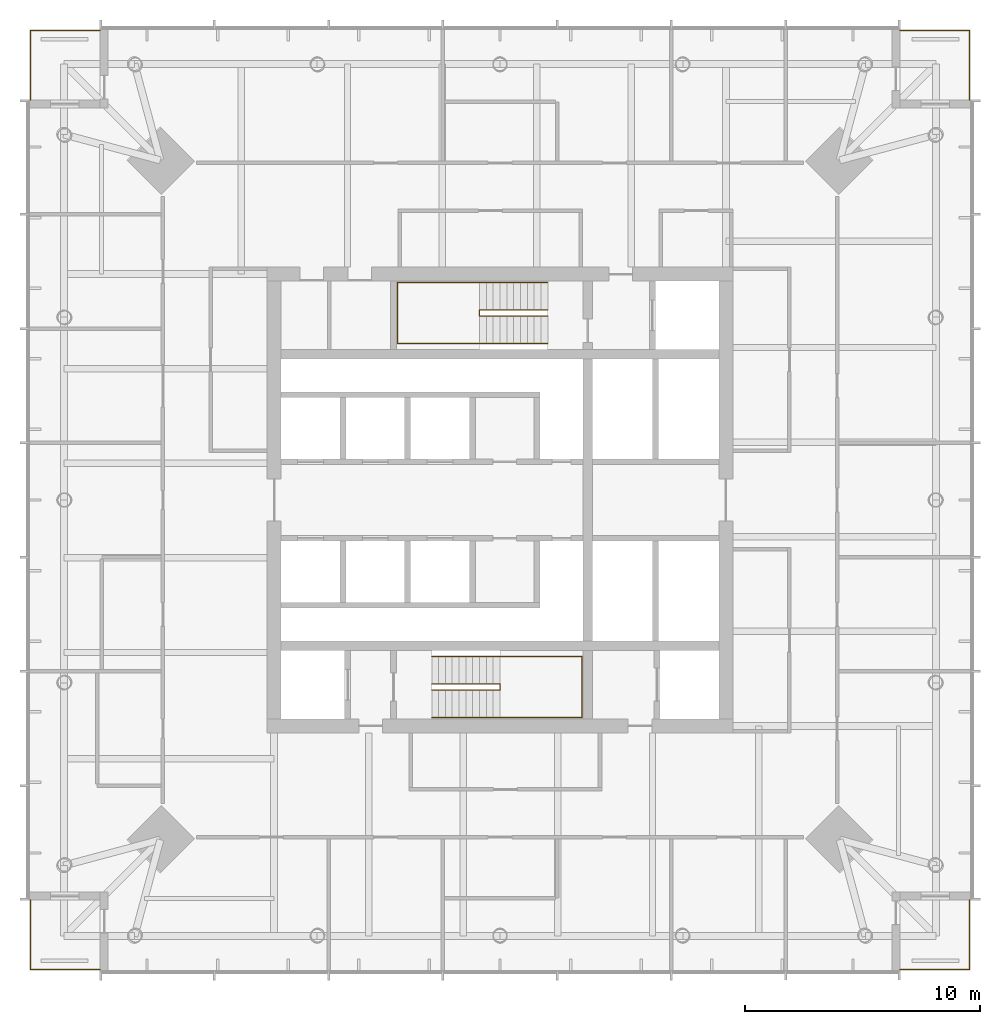
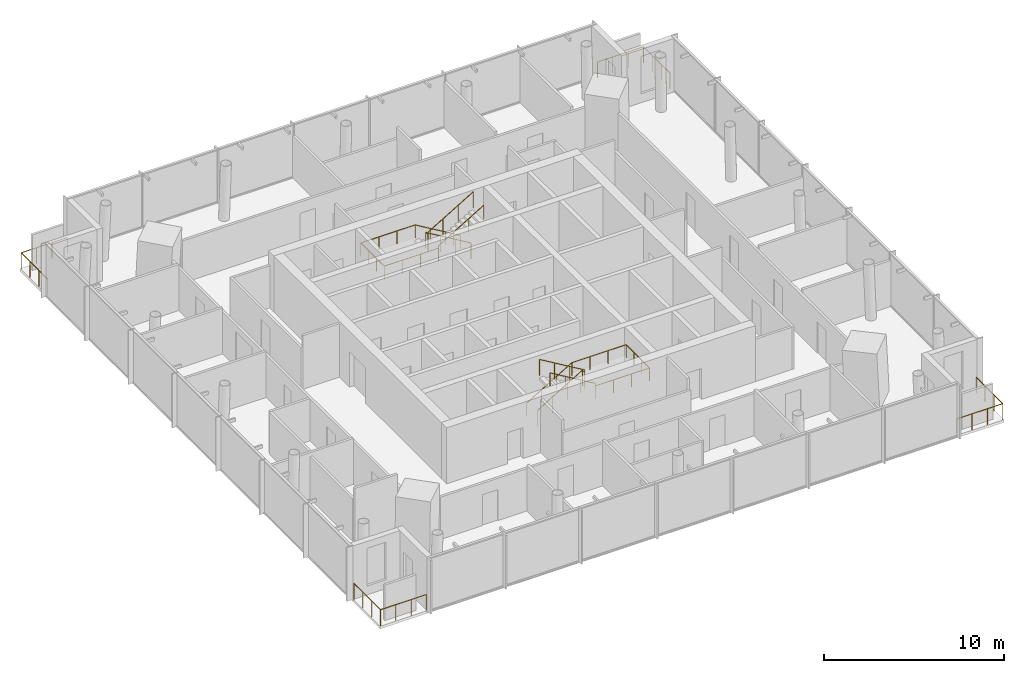
# One storey, part 9 of 9: 8 railings.
"""IFC4 building model written with IfcOpenShell, lengths in metres."""

from ifc_helpers import new_model, si_unit, direction, frame, origin, origin_2d, place, context, subcontext, project, spatial, circle, extrude, material, type_object, element, save


model = new_model("IFC4")

# Units and contexts
model_context = context("Model", 3, precision=1e-05, world=origin(), true_north=direction((0.0, 1.0)))
body_context = subcontext(model_context, "Body", "Model", "MODEL_VIEW")
ifc_project = project(units=[si_unit("LENGTHUNIT", "METRE"), si_unit("AREAUNIT", "SQUARE_METRE"), si_unit("VOLUMEUNIT", "CUBIC_METRE"), si_unit("PLANEANGLEUNIT", "RADIAN"), si_unit("MASSUNIT", "GRAM", prefix="KILO")], contexts=[model_context])

# Site, building, storey
site_placement = place(None, origin())
site = spatial("IfcSite", under=ifc_project, at=site_placement, CompositionType="ELEMENT")
building_placement = place(site_placement, origin())
building = spatial("IfcBuilding", under=site, at=building_placement, Name="Ostroluk Exchange", CompositionType="ELEMENT")
storey_placement = place(building_placement, frame((0.0, 0.0, 192.0)))
storey = spatial("IfcBuildingStorey", under=building, at=storey_placement, Name="L49", CompositionType="ELEMENT", Elevation=192.0)

# Railings
ifc_material_1 = material(Name="Stainless steel", Category="steel")
railing_type_1 = type_object("IfcRailingType", Name="Guard 1100 stainless steel", PredefinedType="GUARDRAIL", material=ifc_material_1)
railing_1_placement = place(storey_placement, frame((62.0, 26.050048828125, 0.0)))
element("IfcRailing", 1, at=railing_1_placement, inside=storey, type_object=railing_type_1, Name="Office tower SE balcony guard L49", PredefinedType="GUARDRAIL", context=body_context, shape_type="SweptSolid", body=[
    extrude(circle(Radius=0.02392578125, at=origin_2d()), frame((0.0, 0.0, 1.076171875), z_axis=(1.0, 0.0, 0.0), x_axis=(0.0, 1.0, 0.0)), (0.0, 0.0, 1.0), 2.949951171875),
    extrude(circle(Radius=0.02392578125, at=origin_2d()), frame((2.949951171875, 0.0, 1.076171875), z_axis=(0.0, 1.0, 0.0), x_axis=(-1.0, 0.0, 0.0)), (0.0, 0.0, 1.0), 2.949951171875),
    extrude(circle(Radius=0.02099609375, at=origin_2d()), origin(), (0.0, 0.0, 1.0), 1.052001953125),
    extrude(circle(Radius=0.02099609375, at=origin_2d()), frame((0.9833984375, 0.0, 0.0)), (0.0, 0.0, 1.0), 1.052001953125),
    extrude(circle(Radius=0.02099609375, at=origin_2d()), frame((1.966552734375, 0.0, 0.0)), (0.0, 0.0, 1.0), 1.052001953125),
    extrude(circle(Radius=0.02099609375, at=origin_2d()), frame((2.949951171875, 0.0, 0.0)), (0.0, 0.0, 1.0), 1.052001953125),
    extrude(circle(Radius=0.02099609375, at=origin_2d()), frame((2.949951171875, 0.9833984375, 0.0)), (0.0, 0.0, 1.0), 1.052001953125),
    extrude(circle(Radius=0.02099609375, at=origin_2d()), frame((2.949951171875, 1.966552734375, 0.0)), (0.0, 0.0, 1.0), 1.052001953125),
    extrude(circle(Radius=0.02099609375, at=origin_2d()), frame((2.949951171875, 2.949951171875, 0.0)), (0.0, 0.0, 1.0), 1.052001953125),
])
railing_2_placement = place(storey_placement, frame((62.0, 65.949951171875, 0.0)))
element("IfcRailing", 2, at=railing_2_placement, inside=storey, type_object=railing_type_1, Name="Office tower NE balcony guard L49", PredefinedType="GUARDRAIL", context=body_context, shape_type="SweptSolid", body=[
    extrude(circle(Radius=0.02392578125, at=origin_2d()), frame((0.0, 0.0, 1.076171875), z_axis=(1.0, 0.0, 0.0), x_axis=(0.0, 1.0, 0.0)), (0.0, 0.0, 1.0), 2.949951171875),
    extrude(circle(Radius=0.02392578125, at=origin_2d()), frame((2.949951171875, 0.0, 1.076171875), z_axis=(0.0, -1.0, 0.0), x_axis=(1.0, 0.0, 0.0)), (0.0, 0.0, 1.0), 2.949951171875),
    extrude(circle(Radius=0.02099609375, at=origin_2d()), origin(), (0.0, 0.0, 1.0), 1.052001953125),
    extrude(circle(Radius=0.02099609375, at=origin_2d()), frame((0.9833984375, 0.0, 0.0)), (0.0, 0.0, 1.0), 1.052001953125),
    extrude(circle(Radius=0.02099609375, at=origin_2d()), frame((1.966552734375, 0.0, 0.0)), (0.0, 0.0, 1.0), 1.052001953125),
    extrude(circle(Radius=0.02099609375, at=origin_2d()), frame((2.949951171875, 0.0, 0.0)), (0.0, 0.0, 1.0), 1.052001953125),
    extrude(circle(Radius=0.02099609375, at=origin_2d()), frame((2.949951171875, -0.9833984375, 0.0)), (0.0, 0.0, 1.0), 1.052001953125),
    extrude(circle(Radius=0.02099609375, at=origin_2d()), frame((2.949951171875, -1.966552734375, 0.0)), (0.0, 0.0, 1.0), 1.052001953125),
    extrude(circle(Radius=0.02099609375, at=origin_2d()), frame((2.949951171875, -2.949951171875, 0.0)), (0.0, 0.0, 1.0), 1.052001953125),
])
railing_3_placement = place(storey_placement, frame((28.0, 65.949951171875, 0.0)))
element("IfcRailing", 3, at=railing_3_placement, inside=storey, type_object=railing_type_1, Name="Office tower NW balcony guard L49", PredefinedType="GUARDRAIL", context=body_context, shape_type="SweptSolid", body=[
    extrude(circle(Radius=0.02392578125, at=origin_2d()), frame((0.0, 0.0, 1.076171875), z_axis=(-1.0, 0.0, 0.0), x_axis=(0.0, -1.0, 0.0)), (0.0, 0.0, 1.0), 2.949951171875),
    extrude(circle(Radius=0.02392578125, at=origin_2d()), frame((-2.949951171875, 0.0, 1.076171875), z_axis=(0.0, -1.0, 0.0), x_axis=(1.0, 0.0, 0.0)), (0.0, 0.0, 1.0), 2.949951171875),
    extrude(circle(Radius=0.02099609375, at=origin_2d()), origin(), (0.0, 0.0, 1.0), 1.052001953125),
    extrude(circle(Radius=0.02099609375, at=origin_2d()), frame((-0.9833984375, 0.0, 0.0)), (0.0, 0.0, 1.0), 1.052001953125),
    extrude(circle(Radius=0.02099609375, at=origin_2d()), frame((-1.966552734375, 0.0, 0.0)), (0.0, 0.0, 1.0), 1.052001953125),
    extrude(circle(Radius=0.02099609375, at=origin_2d()), frame((-2.949951171875, 0.0, 0.0)), (0.0, 0.0, 1.0), 1.052001953125),
    extrude(circle(Radius=0.02099609375, at=origin_2d()), frame((-2.949951171875, -0.9833984375, 0.0)), (0.0, 0.0, 1.0), 1.052001953125),
    extrude(circle(Radius=0.02099609375, at=origin_2d()), frame((-2.949951171875, -1.966552734375, 0.0)), (0.0, 0.0, 1.0), 1.052001953125),
    extrude(circle(Radius=0.02099609375, at=origin_2d()), frame((-2.949951171875, -2.949951171875, 0.0)), (0.0, 0.0, 1.0), 1.052001953125),
])
railing_4_placement = place(storey_placement, frame((28.0, 26.050048828125, 0.0)))
element("IfcRailing", 4, at=railing_4_placement, inside=storey, type_object=railing_type_1, Name="Office tower SW balcony guard L49", PredefinedType="GUARDRAIL", context=body_context, shape_type="SweptSolid", body=[
    extrude(circle(Radius=0.02392578125, at=origin_2d()), frame((0.0, 0.0, 1.076171875), z_axis=(-1.0, 0.0, 0.0), x_axis=(0.0, -1.0, 0.0)), (0.0, 0.0, 1.0), 2.949951171875),
    extrude(circle(Radius=0.02392578125, at=origin_2d()), frame((-2.949951171875, 0.0, 1.076171875), z_axis=(0.0, 1.0, 0.0), x_axis=(-1.0, 0.0, 0.0)), (0.0, 0.0, 1.0), 2.949951171875),
    extrude(circle(Radius=0.02099609375, at=origin_2d()), origin(), (0.0, 0.0, 1.0), 1.052001953125),
    extrude(circle(Radius=0.02099609375, at=origin_2d()), frame((-0.9833984375, 0.0, 0.0)), (0.0, 0.0, 1.0), 1.052001953125),
    extrude(circle(Radius=0.02099609375, at=origin_2d()), frame((-1.966552734375, 0.0, 0.0)), (0.0, 0.0, 1.0), 1.052001953125),
    extrude(circle(Radius=0.02099609375, at=origin_2d()), frame((-2.949951171875, 0.0, 0.0)), (0.0, 0.0, 1.0), 1.052001953125),
    extrude(circle(Radius=0.02099609375, at=origin_2d()), frame((-2.949951171875, 0.9833984375, 0.0)), (0.0, 0.0, 1.0), 1.052001953125),
    extrude(circle(Radius=0.02099609375, at=origin_2d()), frame((-2.949951171875, 1.966552734375, 0.0)), (0.0, 0.0, 1.0), 1.052001953125),
    extrude(circle(Radius=0.02099609375, at=origin_2d()), frame((-2.949951171875, 2.949951171875, 0.0)), (0.0, 0.0, 1.0), 1.052001953125),
])
ifc_material_2 = material(Name="Steel S355", Category="steel")
railing_type_2 = type_object("IfcRailingType", Name="Stair guard 1100", PredefinedType="GUARDRAIL", material=ifc_material_2)
railing_5_placement = place(storey_placement, frame((42.10009765625, 38.179931640625, 0.172607421875)))
element("IfcRailing", 5, at=railing_5_placement, inside=storey, type_object=railing_type_2, Name="Stair T1-S1 guard L49", PredefinedType="GUARDRAIL", context=body_context, shape_type="SweptSolid", body=[
    extrude(circle(Radius=0.02392578125, at=origin_2d()), frame((0.0, 0.0, 1.076171875), z_axis=(0.859141464434, 0.0, 0.511738159696), x_axis=(0.0, 1.0, 0.0)), (0.0, 0.0, 1.0), 3.375244140625),
    extrude(circle(Radius=0.02392578125, at=origin_2d()), frame((2.89990234375, 0.0, 2.80322265625), z_axis=(0.0, -1.0, 0.0), x_axis=(1.0, 0.0, 0.0)), (0.0, 0.0, 1.0), 0.260009765625),
    extrude(circle(Radius=0.02392578125, at=origin_2d()), frame((2.89990234375, -0.260009765625, 2.80322265625), z_axis=(0.0, 0.0, 1.0), x_axis=(1.0, 0.0, 0.0)), (0.0, 0.0, 1.0), 0.1728515625),
    extrude(circle(Radius=0.02392578125, at=origin_2d()), frame((2.89990234375, -0.260009765625, 2.97607421875), z_axis=(-0.859141464434, 0.0, 0.511738159696), x_axis=(0.0, -1.0, 0.0)), (0.0, 0.0, 1.0), 3.375244140625),
    extrude(circle(Radius=0.02099609375, at=origin_2d()), origin(), (0.0, 0.0, 1.0), 1.052001953125),
    extrude(circle(Radius=0.02099609375, at=origin_2d()), frame((0.966552734375, 0.0, 0.57568359375)), (0.0, 0.0, 1.0), 1.052001953125),
    extrude(circle(Radius=0.02099609375, at=origin_2d()), frame((1.933349609375, 0.0, 1.151611328125)), (0.0, 0.0, 1.0), 1.052001953125),
    extrude(circle(Radius=0.02099609375, at=origin_2d()), frame((2.89990234375, 0.0, 1.727294921875)), (0.0, 0.0, 1.0), 1.052001953125),
    extrude(circle(Radius=0.02099609375, at=origin_2d()), frame((2.89990234375, -0.260009765625, 1.727294921875)), (0.0, 0.0, 1.0), 1.052001953125),
    extrude(circle(Radius=0.02099609375, at=origin_2d()), frame((2.89990234375, -0.260009765625, 1.900146484375)), (0.0, 0.0, 1.0), 1.052001953125),
    extrude(circle(Radius=0.02099609375, at=origin_2d()), frame((1.933349609375, -0.260009765625, 2.475830078125)), (0.0, 0.0, 1.0), 1.052001953125),
    extrude(circle(Radius=0.02099609375, at=origin_2d()), frame((0.966552734375, -0.260009765625, 3.0517578125)), (0.0, 0.0, 1.0), 1.052001953125),
    extrude(circle(Radius=0.02099609375, at=origin_2d()), frame((0.0, -0.260009765625, 3.62744140625)), (0.0, 0.0, 1.0), 1.052001953125),
])
railing_6_placement = place(storey_placement, frame((47.030029296875, 54.080078125, 0.172607421875)))
element("IfcRailing", 6, at=railing_6_placement, inside=storey, type_object=railing_type_2, Name="Stair T1-S2 guard L49", PredefinedType="GUARDRAIL", context=body_context, shape_type="SweptSolid", body=[
    extrude(circle(Radius=0.02392578125, at=origin_2d()), frame((0.0, 0.0, 1.076171875), z_axis=(-0.859160404282, 0.0, 0.51170636083), x_axis=(0.0, -1.0, 0.0)), (0.0, 0.0, 1.0), 3.37548828125),
    extrude(circle(Radius=0.02392578125, at=origin_2d()), frame((-2.900146484375, 0.0, 2.80322265625), z_axis=(0.0, -1.0, 0.0), x_axis=(1.0, 0.0, 0.0)), (0.0, 0.0, 1.0), 0.260009765625),
    extrude(circle(Radius=0.02392578125, at=origin_2d()), frame((-2.900146484375, -0.260009765625, 2.80322265625), z_axis=(0.0, 0.0, 1.0), x_axis=(1.0, 0.0, 0.0)), (0.0, 0.0, 1.0), 0.1728515625),
    extrude(circle(Radius=0.02392578125, at=origin_2d()), frame((-2.900146484375, -0.260009765625, 2.97607421875), z_axis=(0.859160404282, 0.0, 0.51170636083), x_axis=(0.0, 1.0, 0.0)), (0.0, 0.0, 1.0), 3.37548828125),
    extrude(circle(Radius=0.02099609375, at=origin_2d()), origin(), (0.0, 0.0, 1.0), 1.052001953125),
    extrude(circle(Radius=0.02099609375, at=origin_2d()), frame((-0.966796875, 0.0, 0.57568359375)), (0.0, 0.0, 1.0), 1.052001953125),
    extrude(circle(Radius=0.02099609375, at=origin_2d()), frame((-1.933349609375, 0.0, 1.151611328125)), (0.0, 0.0, 1.0), 1.052001953125),
    extrude(circle(Radius=0.02099609375, at=origin_2d()), frame((-2.900146484375, 0.0, 1.727294921875)), (0.0, 0.0, 1.0), 1.052001953125),
    extrude(circle(Radius=0.02099609375, at=origin_2d()), frame((-2.900146484375, -0.260009765625, 1.727294921875)), (0.0, 0.0, 1.0), 1.052001953125),
    extrude(circle(Radius=0.02099609375, at=origin_2d()), frame((-2.900146484375, -0.260009765625, 1.900146484375)), (0.0, 0.0, 1.0), 1.052001953125),
    extrude(circle(Radius=0.02099609375, at=origin_2d()), frame((-1.933349609375, -0.260009765625, 2.475830078125)), (0.0, 0.0, 1.0), 1.052001953125),
    extrude(circle(Radius=0.02099609375, at=origin_2d()), frame((-0.966796875, -0.260009765625, 3.0517578125)), (0.0, 0.0, 1.0), 1.052001953125),
    extrude(circle(Radius=0.02099609375, at=origin_2d()), frame((0.0, -0.260009765625, 3.62744140625)), (0.0, 0.0, 1.0), 1.052001953125),
])
ifc_material_3 = material(Name="Stainless steel", Category="steel")
railing_type_3 = type_object("IfcRailingType", Name="Stair handrail 900", PredefinedType="HANDRAIL", material=ifc_material_3)
railing_7_placement = place(storey_placement, frame((42.10009765625, 39.35009765625, 0.172607421875)))
element("IfcRailing", 7, at=railing_7_placement, inside=storey, type_object=railing_type_3, Name="Stair T1-S1 handrail L49", PredefinedType="HANDRAIL", context=body_context, shape_type="SweptSolid", body=[
    extrude(circle(Radius=0.02392578125, at=origin_2d()), frame((0.0, 0.0, 0.8759765625), z_axis=(0.859141464434, 0.0, 0.511738159696), x_axis=(0.0, 1.0, 0.0)), (0.0, 0.0, 1.0), 3.375244140625),
    extrude(circle(Radius=0.02392578125, at=origin_2d()), frame((2.89990234375, 0.0, 2.60302734375), z_axis=(1.0, 0.0, 0.0), x_axis=(0.0, 1.0, 0.0)), (0.0, 0.0, 1.0), 3.47998046875),
    extrude(circle(Radius=0.02392578125, at=origin_2d()), frame((6.3798828125, 0.0, 2.60302734375), z_axis=(0.0, -1.0, 0.0), x_axis=(1.0, 0.0, 0.0)), (0.0, 0.0, 1.0), 2.60009765625),
    extrude(circle(Radius=0.02392578125, at=origin_2d()), frame((6.3798828125, -2.60009765625, 2.60302734375), z_axis=(-1.0, 0.0, 0.0), x_axis=(0.0, -1.0, 0.0)), (0.0, 0.0, 1.0), 3.47998046875),
    extrude(circle(Radius=0.02392578125, at=origin_2d()), frame((2.89990234375, -2.60009765625, 2.60302734375), z_axis=(0.0, 0.0, 1.0), x_axis=(1.0, 0.0, 0.0)), (0.0, 0.0, 1.0), 0.1728515625),
    extrude(circle(Radius=0.02392578125, at=origin_2d()), frame((2.89990234375, -2.60009765625, 2.77587890625), z_axis=(-0.859141464434, 0.0, 0.511738159696), x_axis=(0.0, -1.0, 0.0)), (0.0, 0.0, 1.0), 3.375244140625),
    extrude(circle(Radius=0.02099609375, at=origin_2d()), origin(), (0.0, 0.0, 1.0), 0.851806640625),
    extrude(circle(Radius=0.02099609375, at=origin_2d()), frame((0.966552734375, 0.0, 0.57568359375)), (0.0, 0.0, 1.0), 0.851806640625),
    extrude(circle(Radius=0.02099609375, at=origin_2d()), frame((1.933349609375, 0.0, 1.151611328125)), (0.0, 0.0, 1.0), 0.851806640625),
    extrude(circle(Radius=0.02099609375, at=origin_2d()), frame((2.89990234375, 0.0, 1.727294921875)), (0.0, 0.0, 1.0), 0.851806640625),
    extrude(circle(Radius=0.02099609375, at=origin_2d()), frame((4.059814453125, 0.0, 1.727294921875)), (0.0, 0.0, 1.0), 0.851806640625),
    extrude(circle(Radius=0.02099609375, at=origin_2d()), frame((5.219970703125, 0.0, 1.727294921875)), (0.0, 0.0, 1.0), 0.851806640625),
    extrude(circle(Radius=0.02099609375, at=origin_2d()), frame((6.3798828125, 0.0, 1.727294921875)), (0.0, 0.0, 1.0), 0.851806640625),
    extrude(circle(Radius=0.02099609375, at=origin_2d()), frame((6.3798828125, -0.86669921875, 1.727294921875)), (0.0, 0.0, 1.0), 0.851806640625),
    extrude(circle(Radius=0.02099609375, at=origin_2d()), frame((6.3798828125, -1.7333984375, 1.727294921875)), (0.0, 0.0, 1.0), 0.851806640625),
    extrude(circle(Radius=0.02099609375, at=origin_2d()), frame((6.3798828125, -2.60009765625, 1.727294921875)), (0.0, 0.0, 1.0), 0.851806640625),
    extrude(circle(Radius=0.02099609375, at=origin_2d()), frame((5.219970703125, -2.60009765625, 1.727294921875)), (0.0, 0.0, 1.0), 0.851806640625),
    extrude(circle(Radius=0.02099609375, at=origin_2d()), frame((4.059814453125, -2.60009765625, 1.727294921875)), (0.0, 0.0, 1.0), 0.851806640625),
    extrude(circle(Radius=0.02099609375, at=origin_2d()), frame((2.89990234375, -2.60009765625, 1.727294921875)), (0.0, 0.0, 1.0), 0.851806640625),
    extrude(circle(Radius=0.02099609375, at=origin_2d()), frame((2.89990234375, -2.60009765625, 1.900146484375)), (0.0, 0.0, 1.0), 0.851806640625),
    extrude(circle(Radius=0.02099609375, at=origin_2d()), frame((1.933349609375, -2.60009765625, 2.475830078125)), (0.0, 0.0, 1.0), 0.851806640625),
    extrude(circle(Radius=0.02099609375, at=origin_2d()), frame((0.966552734375, -2.60009765625, 3.0517578125)), (0.0, 0.0, 1.0), 0.851806640625),
    extrude(circle(Radius=0.02099609375, at=origin_2d()), frame((0.0, -2.60009765625, 3.62744140625)), (0.0, 0.0, 1.0), 0.851806640625),
])
railing_8_placement = place(storey_placement, frame((47.030029296875, 55.25, 0.172607421875)))
element("IfcRailing", 8, at=railing_8_placement, inside=storey, type_object=railing_type_3, Name="Stair T1-S2 handrail L49", PredefinedType="HANDRAIL", context=body_context, shape_type="SweptSolid", body=[
    extrude(circle(Radius=0.02392578125, at=origin_2d()), frame((0.0, 0.0, 0.8759765625), z_axis=(-0.859160404282, 0.0, 0.51170636083), x_axis=(0.0, -1.0, 0.0)), (0.0, 0.0, 1.0), 3.37548828125),
    extrude(circle(Radius=0.02392578125, at=origin_2d()), frame((-2.900146484375, 0.0, 2.60302734375), z_axis=(-1.0, 0.0, 0.0), x_axis=(0.0, -1.0, 0.0)), (0.0, 0.0, 1.0), 3.47998046875),
    extrude(circle(Radius=0.02392578125, at=origin_2d()), frame((-6.380126953125, 0.0, 2.60302734375), z_axis=(0.0, -1.0, 0.0), x_axis=(1.0, 0.0, 0.0)), (0.0, 0.0, 1.0), 2.60009765625),
    extrude(circle(Radius=0.02392578125, at=origin_2d()), frame((-6.380126953125, -2.60009765625, 2.60302734375), z_axis=(1.0, 0.0, 0.0), x_axis=(0.0, 1.0, 0.0)), (0.0, 0.0, 1.0), 3.47998046875),
    extrude(circle(Radius=0.02392578125, at=origin_2d()), frame((-2.900146484375, -2.60009765625, 2.60302734375), z_axis=(0.0, 0.0, 1.0), x_axis=(1.0, 0.0, 0.0)), (0.0, 0.0, 1.0), 0.1728515625),
    extrude(circle(Radius=0.02392578125, at=origin_2d()), frame((-2.900146484375, -2.60009765625, 2.77587890625), z_axis=(0.859160404282, 0.0, 0.51170636083), x_axis=(0.0, 1.0, 0.0)), (0.0, 0.0, 1.0), 3.37548828125),
    extrude(circle(Radius=0.02099609375, at=origin_2d()), origin(), (0.0, 0.0, 1.0), 0.851806640625),
    extrude(circle(Radius=0.02099609375, at=origin_2d()), frame((-0.966796875, 0.0, 0.57568359375)), (0.0, 0.0, 1.0), 0.851806640625),
    extrude(circle(Radius=0.02099609375, at=origin_2d()), frame((-1.933349609375, 0.0, 1.151611328125)), (0.0, 0.0, 1.0), 0.851806640625),
    extrude(circle(Radius=0.02099609375, at=origin_2d()), frame((-2.900146484375, 0.0, 1.727294921875)), (0.0, 0.0, 1.0), 0.851806640625),
    extrude(circle(Radius=0.02099609375, at=origin_2d()), frame((-4.06005859375, 0.0, 1.727294921875)), (0.0, 0.0, 1.0), 0.851806640625),
    extrude(circle(Radius=0.02099609375, at=origin_2d()), frame((-5.22021484375, 0.0, 1.727294921875)), (0.0, 0.0, 1.0), 0.851806640625),
    extrude(circle(Radius=0.02099609375, at=origin_2d()), frame((-6.380126953125, 0.0, 1.727294921875)), (0.0, 0.0, 1.0), 0.851806640625),
    extrude(circle(Radius=0.02099609375, at=origin_2d()), frame((-6.380126953125, -0.86669921875, 1.727294921875)), (0.0, 0.0, 1.0), 0.851806640625),
    extrude(circle(Radius=0.02099609375, at=origin_2d()), frame((-6.380126953125, -1.7333984375, 1.727294921875)), (0.0, 0.0, 1.0), 0.851806640625),
    extrude(circle(Radius=0.02099609375, at=origin_2d()), frame((-6.380126953125, -2.60009765625, 1.727294921875)), (0.0, 0.0, 1.0), 0.851806640625),
    extrude(circle(Radius=0.02099609375, at=origin_2d()), frame((-5.22021484375, -2.60009765625, 1.727294921875)), (0.0, 0.0, 1.0), 0.851806640625),
    extrude(circle(Radius=0.02099609375, at=origin_2d()), frame((-4.06005859375, -2.60009765625, 1.727294921875)), (0.0, 0.0, 1.0), 0.851806640625),
    extrude(circle(Radius=0.02099609375, at=origin_2d()), frame((-2.900146484375, -2.60009765625, 1.727294921875)), (0.0, 0.0, 1.0), 0.851806640625),
    extrude(circle(Radius=0.02099609375, at=origin_2d()), frame((-2.900146484375, -2.60009765625, 1.900146484375)), (0.0, 0.0, 1.0), 0.851806640625),
    extrude(circle(Radius=0.02099609375, at=origin_2d()), frame((-1.933349609375, -2.60009765625, 2.475830078125)), (0.0, 0.0, 1.0), 0.851806640625),
    extrude(circle(Radius=0.02099609375, at=origin_2d()), frame((-0.966796875, -2.60009765625, 3.0517578125)), (0.0, 0.0, 1.0), 0.851806640625),
    extrude(circle(Radius=0.02099609375, at=origin_2d()), frame((0.0, -2.60009765625, 3.62744140625)), (0.0, 0.0, 1.0), 0.851806640625),
])

save(model, "model.ifc")
